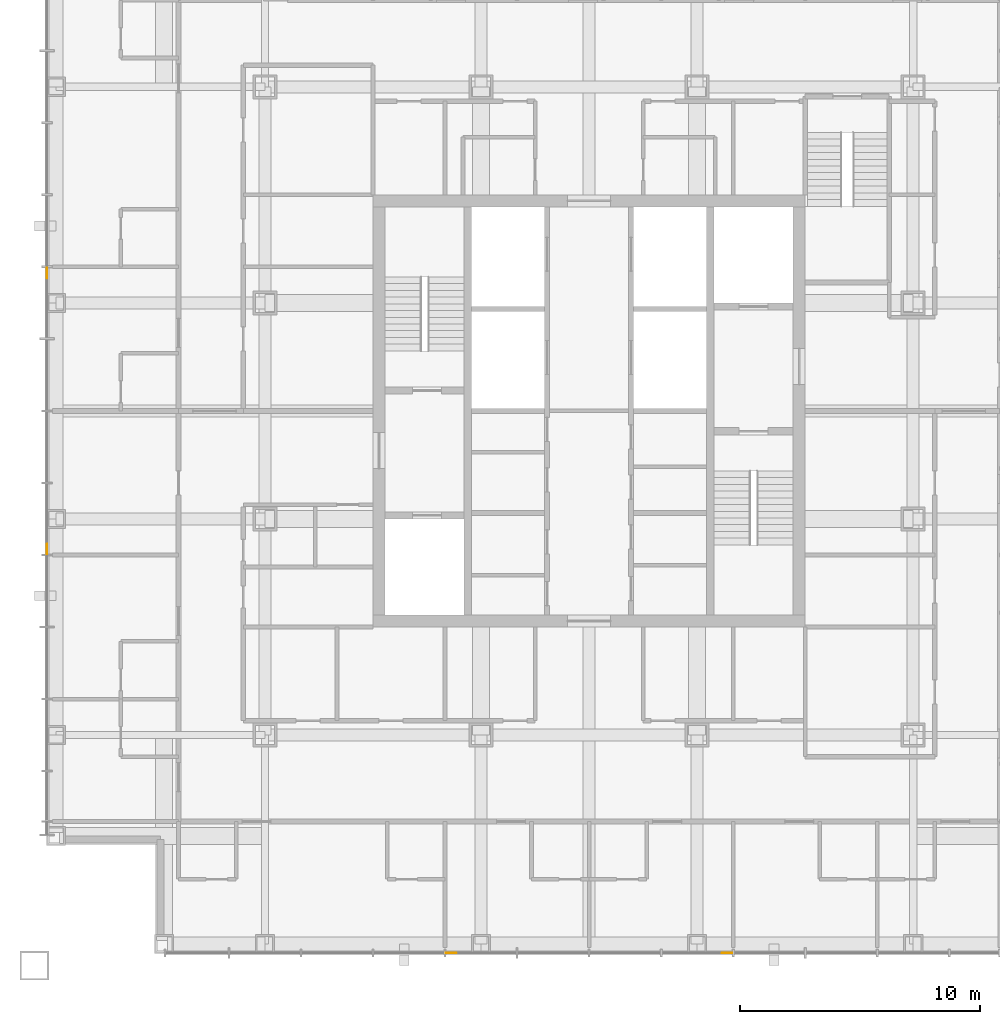
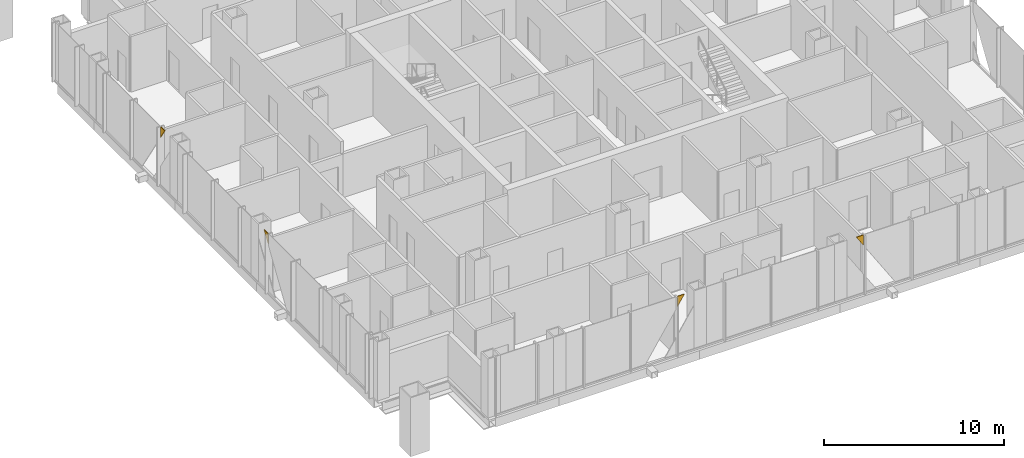
# One storey, part 19 of 20: 4 coverings.
"""IFC4 building model written with IfcOpenShell, lengths in metres."""

from ifc_helpers import new_model, si_unit, direction, frame, origin, place, context, subcontext, project, spatial, polyline, outline, extrude, material, layer, layer_set, type_object, element, save


model = new_model("IFC4")

# Units and contexts
model_context = context("Model", 3, precision=1e-05, world=origin(), true_north=direction((0.0, 1.0)))
body_context = subcontext(model_context, "Body", "Model", "MODEL_VIEW")
ifc_project = project(units=[si_unit("LENGTHUNIT", "METRE"), si_unit("AREAUNIT", "SQUARE_METRE"), si_unit("VOLUMEUNIT", "CUBIC_METRE"), si_unit("PLANEANGLEUNIT", "RADIAN"), si_unit("MASSUNIT", "GRAM", prefix="KILO")], contexts=[model_context])

# Site, building, storey
site_placement = place(None, origin())
site = spatial("IfcSite", under=ifc_project, at=site_placement, CompositionType="ELEMENT")
building_placement = place(site_placement, origin())
building = spatial("IfcBuilding", under=site, at=building_placement, Name="Malebo Sky Hospital", CompositionType="ELEMENT")
storey_placement = place(building_placement, frame((0.0, 0.0, 233.0)))
storey = spatial("IfcBuildingStorey", under=building, at=storey_placement, Name="L56", CompositionType="ELEMENT", Elevation=233.0)

# Coverings
ifc_material = material(Name="Anodised aluminium, natural silver insulated infill panel", Category="aluminium")
ifc_layer = layer(ifc_material, 0.0400390625)
ifc_layer_set = layer_set([ifc_layer], Name="BRACE INFILL PANEL 40")
covering_type = type_object("IfcCoveringType", Name="BRACE INFILL PANEL 40", PredefinedType="CLADDING", material=ifc_layer_set)
covering_1_placement = place(storey_placement, frame((37.425048828125, 56.264892578125, 3.281005859375), z_axis=(0.0, 0.0, 1.0), x_axis=(0.0, 1.0, 0.0)))
element("IfcCovering", 1, at=covering_1_placement, inside=storey, type_object=covering_type, Name="Brace infill panel 6.1", PredefinedType="CLADDING", context=body_context, shape_type="SweptSolid", body=[
    extrude(outline(polyline([(-0.2275390625, 0.0), (0.2275390625, 0.708984375), (-0.2275390625, 0.708984375), (-0.2275390625, 0.0)])), frame((0.0, 0.02001953125, 0.0), z_axis=(0.0, -1.0, 0.0), x_axis=(1.0, 0.0, 0.0)), (0.0, 0.0, 1.0), 0.0400390625),
])
covering_2_placement = place(storey_placement, frame((37.425048828125, 67.735107421875, 3.281005859375), z_axis=(0.0, 0.0, 1.0), x_axis=(0.0, 1.0, 0.0)))
element("IfcCovering", 2, at=covering_2_placement, inside=storey, type_object=covering_type, Name="Brace infill panel 9.1", PredefinedType="CLADDING", context=body_context, shape_type="SweptSolid", body=[
    extrude(outline(polyline([(0.2275390625, 0.0), (0.2275390625, 0.708984375), (-0.2275390625, 0.708984375), (0.2275390625, 0.0)])), frame((0.0, 0.02001953125, 0.0), z_axis=(0.0, -1.0, 0.0), x_axis=(1.0, 0.0, 0.0)), (0.0, 0.0, 1.0), 0.0400390625),
])
covering_3_placement = place(storey_placement, frame((65.735107421875, 39.425048828125, 3.281005859375), z_axis=(0.0, 0.0, 1.0), x_axis=(-1.0, 0.0, 0.0)))
element("IfcCovering", 3, at=covering_3_placement, inside=storey, type_object=covering_type, Name="Brace infill panel 6.1", PredefinedType="CLADDING", context=body_context, shape_type="SweptSolid", body=[
    extrude(outline(polyline([(-0.2275390625, 0.0), (0.2275390625, 0.708984375), (-0.2275390625, 0.708984375), (-0.2275390625, 0.0)])), frame((0.0, 0.02001953125, 0.0), z_axis=(0.0, -1.0, 0.0), x_axis=(1.0, 0.0, 0.0)), (0.0, 0.0, 1.0), 0.0400390625),
])
covering_4_placement = place(storey_placement, frame((54.264892578125, 39.425048828125, 3.281005859375), z_axis=(0.0, 0.0, 1.0), x_axis=(-1.0, 0.0, 0.0)))
element("IfcCovering", 4, at=covering_4_placement, inside=storey, type_object=covering_type, Name="Brace infill panel 9.1", PredefinedType="CLADDING", context=body_context, shape_type="SweptSolid", body=[
    extrude(outline(polyline([(0.2275390625, 0.0), (0.2275390625, 0.708984375), (-0.2275390625, 0.708984375), (0.2275390625, 0.0)])), frame((0.0, 0.02001953125, 0.0), z_axis=(0.0, -1.0, 0.0), x_axis=(1.0, 0.0, 0.0)), (0.0, 0.0, 1.0), 0.0400390625),
])

save(model, "model.ifc")
